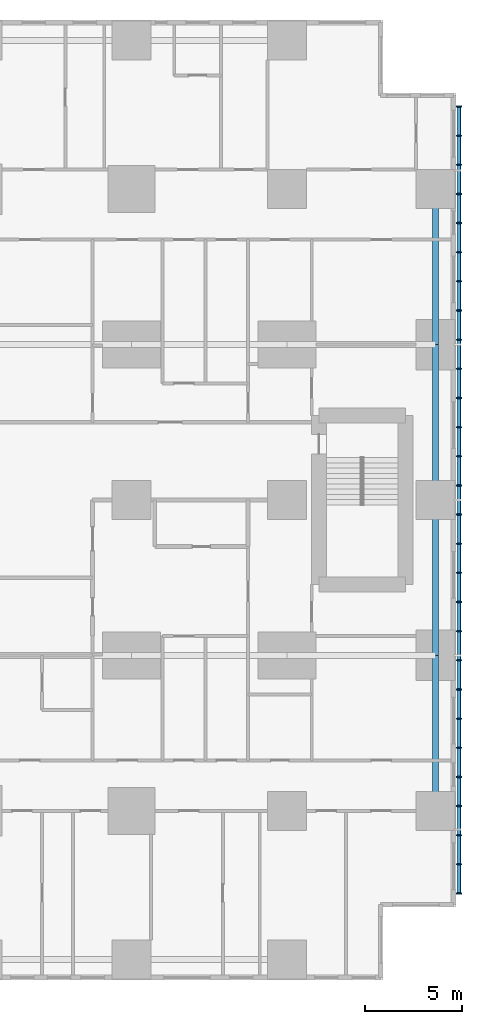
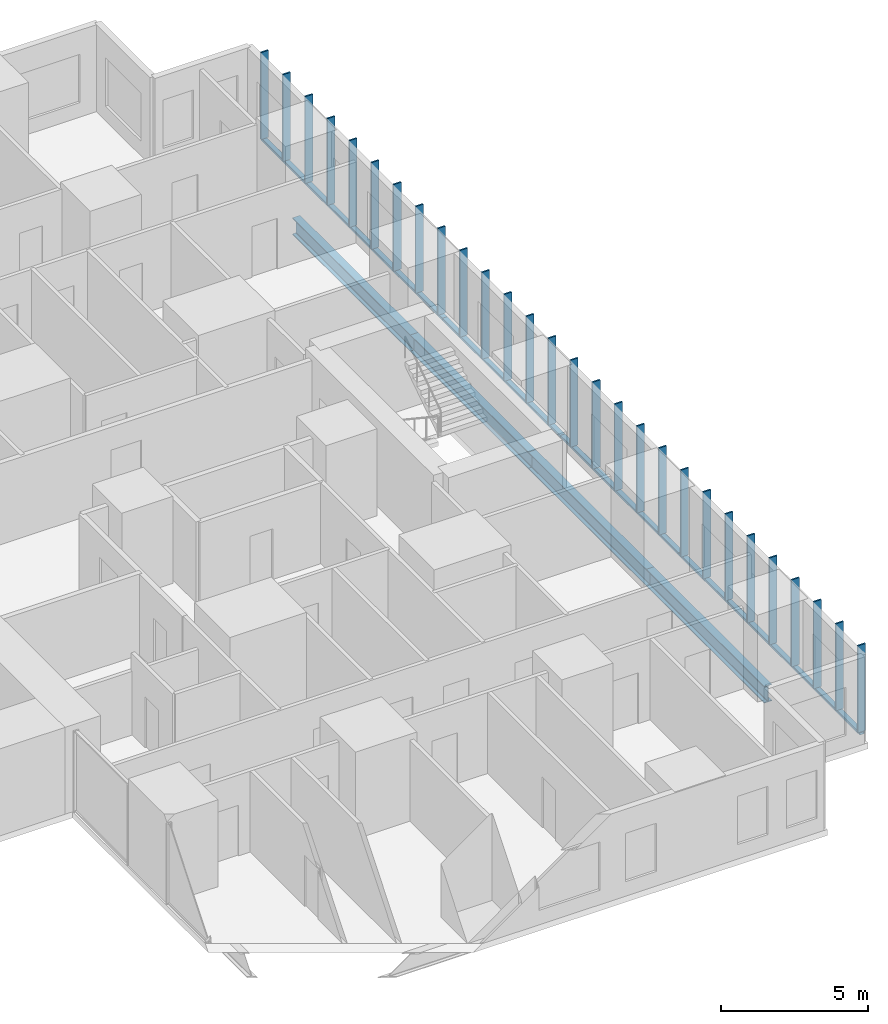
# One storey, part 6 of 20: 32 members, 4 beams.
"""IFC4 building model written with IfcOpenShell, lengths in metres."""

import ifcopenshell
import ifcopenshell.guid

model = None  # the IFC model being written
_history = None  # IfcOwnerHistory: only IFC2X3 demands one
_inside = {}  # id of a spatial element -> (the spatial element, [elements in it])
_under = {}  # id of a project, library or spatial element -> (it, [spatial elements below it])
_declared = {}  # id of a project -> (the project, [libraries it declares])
_typed = {}  # id of a type object -> (the type object, [elements of that type])
_made_of = {}  # id of a material, layer set ... -> (it, [elements and type objects made of it])


def new_model(schema):
    """Start an empty IFC model of exactly this schema.

    Asked for "IFC4X3", IfcOpenShell would pick the latest addendum, in which some entities
    have other attributes; the version numbers below select the first issue.
    IFC2X3 requires an IfcOwnerHistory on every rooted entity: one is made here for all.
    """
    global model, _history
    if schema == "IFC4X3":
        model = ifcopenshell.file(schema_version=(4, 3, 0, 0))
    else:
        model = ifcopenshell.file(schema=schema)
    _inside.clear()
    _under.clear()
    _declared.clear()
    _typed.clear()
    _made_of.clear()
    _history = None
    if model.schema == "IFC2X3":
        org = make("IfcOrganization", Name="unknown")
        user = make(
            "IfcPersonAndOrganization",
            ThePerson=make("IfcPerson", FamilyName="unknown"),
            TheOrganization=org,
        )
        app = make(
            "IfcApplication",
            ApplicationDeveloper=org,
            Version="unknown",
            ApplicationFullName="unknown",
            ApplicationIdentifier="unknown",
        )
        _history = make(
            "IfcOwnerHistory",
            OwningUser=user,
            OwningApplication=app,
            ChangeAction="ADDED",
            CreationDate=0,
        )
    return model


def make(cls, **values):
    """One entity of the class cls with the attributes given. An attribute that is None is left unset."""
    return model.create_entity(
        cls, **{name: value for name, value in values.items() if value is not None}
    )


def rooted(cls, **values):
    """An entity with a GlobalId (a new one), such as an element, a storey or a relation."""
    return make(cls, GlobalId=ifcopenshell.guid.new(), OwnerHistory=_history, **values)


def si_unit(unit_type, name, prefix=None):
    """IfcSIUnit, for example si_unit("LENGTHUNIT", "METRE", prefix="MILLI")."""
    return make("IfcSIUnit", UnitType=unit_type, Prefix=prefix, Name=name)


def assignment(units):
    """IfcUnitAssignment: the units of a project."""
    return None if units is None else make("IfcUnitAssignment", Units=units)


def point(xyz):
    """IfcCartesianPoint."""
    return None if xyz is None else make("IfcCartesianPoint", Coordinates=xyz)


def direction(xyz):
    """IfcDirection."""
    return None if xyz is None else make("IfcDirection", DirectionRatios=xyz)


def frame(location, z_axis=None, x_axis=None):
    """IfcAxis2Placement3D, a coordinate frame: its origin and axes. An axis left out is left unset."""
    return make(
        "IfcAxis2Placement3D",
        Location=point(location),
        Axis=direction(z_axis),
        RefDirection=direction(x_axis),
    )


def frame_2d(location, x_axis=None):
    """IfcAxis2Placement2D, a coordinate frame in the plane: its origin and x axis."""
    return make(
        "IfcAxis2Placement2D", Location=point(location), RefDirection=direction(x_axis)
    )


def origin():
    """The frame at (0, 0, 0) with its axes left unset."""
    return frame((0.0, 0.0, 0.0))


def origin_2d():
    """The frame at (0, 0) in the plane with its x axis left unset."""
    return frame_2d((0.0, 0.0))


def place(relative_to, where):
    """IfcLocalPlacement: puts the frame where relative to a parent placement (None: the world)."""
    return make(
        "IfcLocalPlacement", PlacementRelTo=relative_to, RelativePlacement=where
    )


def context(
    kind, dimensions, precision=None, world=None, true_north=None, identifier=None
):
    """IfcGeometricRepresentationContext, for example the 3D "Model" context."""
    return make(
        "IfcGeometricRepresentationContext",
        ContextIdentifier=identifier,
        ContextType=kind,
        CoordinateSpaceDimension=dimensions,
        Precision=precision,
        WorldCoordinateSystem=world,
        TrueNorth=true_north,
    )


def subcontext(parent, identifier, kind, view, scale=None):
    """IfcGeometricRepresentationSubContext, for example "Body" below "Model"."""
    return make(
        "IfcGeometricRepresentationSubContext",
        ContextIdentifier=identifier,
        ContextType=kind,
        ParentContext=parent,
        TargetScale=scale,
        TargetView=view,
    )


def project(units=None, contexts=None):
    """IfcProject with its units and contexts."""
    return rooted(
        "IfcProject",
        Name="project",
        RepresentationContexts=contexts,
        UnitsInContext=assignment(units),
    )


def spatial(cls, under=None, at=None, **own):
    """A site, building, storey or space (cls), placed at a placement, below another one or the project."""
    s = rooted(cls, ObjectPlacement=at, **own)
    if under is not None:
        _under.setdefault(under.id(), (under, []))[1].append(s)
    return s


def profile(cls, at=None, kind="AREA", **sizes):
    """A parametric profile (cls). Its sizes go by their IFC names, for example OverallWidth=200.0."""
    return make(cls, ProfileType=kind, Position=at, **sizes)


def rectangle(**sizes):
    """IfcRectangleProfileDef."""
    return profile("IfcRectangleProfileDef", **sizes)


def hollow_rectangle(**sizes):
    """IfcRectangleHollowProfileDef."""
    return profile("IfcRectangleHollowProfileDef", **sizes)


def i_section(**sizes):
    """IfcIShapeProfileDef."""
    return profile("IfcIShapeProfileDef", **sizes)


def extrude(swept, where, along, depth):
    """IfcExtrudedAreaSolid: the profile swept, set in the frame where, extruded along a direction by depth."""
    return make(
        "IfcExtrudedAreaSolid",
        SweptArea=swept,
        Position=where,
        ExtrudedDirection=direction(along),
        Depth=depth,
    )


def shape(context_of_items, identifier, shape_type, items):
    """IfcShapeRepresentation: the items that make up one representation, for example the "Body"."""
    return make(
        "IfcShapeRepresentation",
        ContextOfItems=context_of_items,
        RepresentationIdentifier=identifier,
        RepresentationType=shape_type,
        Items=items,
    )


def material(Name=None, Category=None):
    """IfcMaterial."""
    return make("IfcMaterial", Name=Name, Category=Category)


def material_profile(
    of_material, cross_section, Name=None, Category=None, Priority=None
):
    """IfcMaterialProfile: a cross section and its material."""
    return make(
        "IfcMaterialProfile",
        Name=Name,
        Material=of_material,
        Profile=cross_section,
        Priority=Priority,
        Category=Category,
    )


def profile_set(profiles, Name=None, composite=None):
    """IfcMaterialProfileSet."""
    return make(
        "IfcMaterialProfileSet",
        Name=Name,
        MaterialProfiles=profiles,
        CompositeProfile=composite,
    )


def made_of(thing, what):
    """Note that an element or type object is made of a material, layer set ...; save() writes the relation."""
    if what is not None:
        _made_of.setdefault(what.id(), (what, []))[1].append(thing)
    return thing


def type_object(cls, material=None, **own):
    """A type object (cls), such as IfcWallType, which elements share."""
    return made_of(rooted(cls, **own), material)


def element(
    cls,
    number,
    at=None,
    inside=None,
    cuts=None,
    type_object=None,
    material=None,
    context=None,
    identifier="Body",
    shape_type=None,
    held_by="IfcProductDefinitionShape",
    body=None,
    shapes=None,
    **own,
):
    """One element of the class cls, such as IfcWall. Its Tag is "e" and its number.

    at: its placement. inside: the storey or other place that contains it. cuts: it is an
    opening in that element (IfcRelVoidsElement). A single representation is given by context,
    identifier, shape_type and body (its items); several are given by shapes. held_by: the class
    of the entity that holds the representations. save() writes the other relations.
    """
    e = rooted(cls, Tag="e%d" % number, ObjectPlacement=at, **own)
    if body is not None:
        shapes = [shape(context, identifier, shape_type, body)]
    if shapes is not None:
        e.Representation = make(held_by, Representations=shapes)
    if inside is not None:
        _inside.setdefault(inside.id(), (inside, []))[1].append(e)
    if cuts is not None:
        rooted(
            "IfcRelVoidsElement", RelatingBuildingElement=cuts, RelatedOpeningElement=e
        )
    if type_object is not None:
        _typed.setdefault(type_object.id(), (type_object, []))[1].append(e)
    return made_of(e, material)


def aggregate(whole, parts):
    """IfcRelAggregates: a whole, such as a stair, and the parts it consists of."""
    return rooted("IfcRelAggregates", RelatingObject=whole, RelatedObjects=parts)


def save(model, path):
    """Write the relations noted so far, then the file.

    IfcRelAggregates (storeys below a building ...), IfcRelContainedInSpatialStructure (elements
    in a storey), IfcRelDefinesByType, IfcRelAssociatesMaterial and IfcRelDeclares: one each for
    every whole, place, type object, material and project.
    """
    for whole, parts in _under.values():
        aggregate(whole, parts)
    for where, things in _inside.values():
        rooted(
            "IfcRelContainedInSpatialStructure",
            RelatedElements=things,
            RelatingStructure=where,
        )
    for kind, things in _typed.values():
        rooted("IfcRelDefinesByType", RelatedObjects=things, RelatingType=kind)
    for what, things in _made_of.values():
        rooted("IfcRelAssociatesMaterial", RelatedObjects=things, RelatingMaterial=what)
    for by, libraries in _declared.values():
        rooted("IfcRelDeclares", RelatingContext=by, RelatedDefinitions=libraries)
    model.write(path)


model = new_model("IFC4")

# Units and contexts
model_context = context("Model", 3, precision=1e-05, world=origin(), true_north=direction((0.0, 1.0)))
body_context = subcontext(model_context, "Body", "Model", "MODEL_VIEW")
ifc_project = project(units=[si_unit("LENGTHUNIT", "METRE"), si_unit("AREAUNIT", "SQUARE_METRE"), si_unit("VOLUMEUNIT", "CUBIC_METRE"), si_unit("PLANEANGLEUNIT", "RADIAN"), si_unit("MASSUNIT", "GRAM", prefix="KILO")], contexts=[model_context])

# Site, building, storey
site_placement = place(None, origin())
site = spatial("IfcSite", under=ifc_project, at=site_placement, CompositionType="ELEMENT")
building_placement = place(site_placement, origin())
building = spatial("IfcBuilding", under=site, at=building_placement, Name="Cleftline Residences", CompositionType="ELEMENT")
storey_placement = place(building_placement, frame((0.0, 0.0, 83.60009765625)))
storey = spatial("IfcBuildingStorey", under=building, at=storey_placement, Name="L21", CompositionType="ELEMENT", Elevation=83.60009765625)

# Members
ifc_material_1 = material(Name="Steel S355, hot-dip galvanised", Category="steel")
ifc_material_profile_1 = material_profile(ifc_material_1, hollow_rectangle(XDim=0.10009765625, YDim=0.199951171875, WallThickness=0.008056640625, InnerFilletRadius=0.008056640625, OuterFilletRadius=0.011962890625, at=origin_2d()))
ifc_profile_set_1 = profile_set([ifc_material_profile_1], Name="Steel S355, hot-dip galvanised")
member_type_1 = type_object("IfcMemberType", Name="BAGUETTE CARRIER RHS 200X100X8", PredefinedType="USERDEFINED", material=ifc_profile_set_1)
member_1_placement = place(storey_placement, frame((66.85009765625, 3.699951171875, -0.050048828125), z_axis=(0.0, 1.0, 0.0), x_axis=(0.0, 0.0, 1.0)))
element("IfcMember", 1, at=member_1_placement, inside=storey, type_object=member_type_1, Name="Baguette carrier", ObjectType="BAGUETTE CARRIER", PredefinedType="USERDEFINED", context=body_context, shape_type="SweptSolid", body=[
    extrude(hollow_rectangle(XDim=0.10009765625, YDim=0.199951171875, WallThickness=0.008056640625, InnerFilletRadius=0.008056640625, OuterFilletRadius=0.011962890625, at=origin_2d()), origin(), (0.0, 0.0, 1.0), 12.300048828125),
])
for number, where, z_axis, x_axis, name in (
    (2, (66.85009765625, 16.0, -0.050048828125), (0.0, 1.0, 0.0), (0.0, 0.0, 1.0), "Baguette carrier"),
    (3, (66.85009765625, 24.0, -0.050048828125), (0.0, 1.0, 0.0), (0.0, 0.0, 1.0), "Baguette carrier"),
):
    element("IfcMember", number, at=place(storey_placement, frame(where, z_axis=z_axis, x_axis=x_axis)), inside=storey, type_object=member_type_1, Name=name, ObjectType="BAGUETTE CARRIER", PredefinedType="USERDEFINED", context=body_context, shape_type="SweptSolid", body=[
        extrude(hollow_rectangle(XDim=0.10009765625, YDim=0.199951171875, WallThickness=0.008056640625, InnerFilletRadius=0.008056640625, OuterFilletRadius=0.011962890625, at=origin_2d()), origin(), (0.0, 0.0, 1.0), 8.0),
    ])
member_2_placement = place(storey_placement, frame((66.85009765625, 32.0, -0.050048828125), z_axis=(0.0, 1.0, 0.0), x_axis=(0.0, 0.0, 1.0)))
element("IfcMember", 4, at=member_2_placement, inside=storey, type_object=member_type_1, Name="Baguette carrier", ObjectType="BAGUETTE CARRIER", PredefinedType="USERDEFINED", context=body_context, shape_type="SweptSolid", body=[
    extrude(hollow_rectangle(XDim=0.10009765625, YDim=0.199951171875, WallThickness=0.008056640625, InnerFilletRadius=0.008056640625, OuterFilletRadius=0.011962890625, at=origin_2d()), origin(), (0.0, 0.0, 1.0), 12.300048828125),
])

# Beams
ifc_material_2 = material(Name="Steel S355", Category="steel")
ifc_material_profile_2 = material_profile(ifc_material_2, i_section(OverallWidth=0.300048828125, OverallDepth=0.699951171875, WebThickness=0.01708984375, FlangeThickness=0.031982421875, FilletRadius=0.027099609375, at=origin_2d()))
ifc_profile_set_2 = profile_set([ifc_material_profile_2], Name="Steel S355")
beam_type = type_object("IfcBeamType", Name="BEAM HEB 700", PredefinedType="BEAM", material=ifc_profile_set_2)
for number, where, z_axis, x_axis, name in (
    (5, (65.64990234375, 8.0, -0.60009765625), (0.0, 1.0, 0.0), (-1.0, 0.0, 0.0), "Edge beam"),
    (6, (65.64990234375, 16.0, -0.60009765625), (0.0, 1.0, 0.0), (-1.0, 0.0, 0.0), "Edge beam"),
    (7, (65.64990234375, 24.0, -0.60009765625), (0.0, 1.0, 0.0), (-1.0, 0.0, 0.0), "Edge beam"),
    (8, (65.64990234375, 32.0, -0.60009765625), (0.0, 1.0, 0.0), (-1.0, 0.0, 0.0), "Edge beam"),
):
    element("IfcBeam", number, at=place(storey_placement, frame(where, z_axis=z_axis, x_axis=x_axis)), inside=storey, type_object=beam_type, Name=name, PredefinedType="BEAM", context=body_context, shape_type="SweptSolid", body=[
        extrude(i_section(OverallWidth=0.300048828125, OverallDepth=0.699951171875, WebThickness=0.01708984375, FlangeThickness=0.031982421875, FilletRadius=0.027099609375, at=origin_2d()), origin(), (0.0, 0.0, 1.0), 8.0),
    ])

# Members
ifc_material_3 = material(Name="Extruded terracotta", Category="masonry")
ifc_material_profile_3 = material_profile(ifc_material_3, rectangle(XDim=0.06005859375, YDim=0.300048828125, at=origin_2d()))
ifc_profile_set_3 = profile_set([ifc_material_profile_3], Name="Extruded terracotta")
member_type_2 = type_object("IfcMemberType", Name="TERRACOTTA BAGUETTE 60X300", PredefinedType="USERDEFINED", material=ifc_profile_set_3)
for number, where, z_axis, x_axis, name in (
    (9, (66.85009765625, 3.75, 0.0), (0.0, 0.0, 1.0), (0.0, 1.0, 0.0), "Terracotta baguette"),
    (10, (66.85009765625, 5.25, 0.0), (0.0, 0.0, 1.0), (0.0, 1.0, 0.0), "Terracotta baguette"),
    (11, (66.85009765625, 6.75, 0.0), (0.0, 0.0, 1.0), (0.0, 1.0, 0.0), "Terracotta baguette"),
    (12, (66.85009765625, 8.25, 0.0), (0.0, 0.0, 1.0), (0.0, 1.0, 0.0), "Terracotta baguette"),
    (13, (66.85009765625, 9.75, 0.0), (0.0, 0.0, 1.0), (0.0, 1.0, 0.0), "Terracotta baguette"),
    (14, (66.85009765625, 11.25, 0.0), (0.0, 0.0, 1.0), (0.0, 1.0, 0.0), "Terracotta baguette"),
    (15, (66.85009765625, 12.75, 0.0), (0.0, 0.0, 1.0), (0.0, 1.0, 0.0), "Terracotta baguette"),
    (16, (66.85009765625, 14.25, 0.0), (0.0, 0.0, 1.0), (0.0, 1.0, 0.0), "Terracotta baguette"),
    (17, (66.85009765625, 15.75, 0.0), (0.0, 0.0, 1.0), (0.0, 1.0, 0.0), "Terracotta baguette"),
    (18, (66.85009765625, 17.25, 0.0), (0.0, 0.0, 1.0), (0.0, 1.0, 0.0), "Terracotta baguette"),
    (19, (66.85009765625, 18.75, 0.0), (0.0, 0.0, 1.0), (0.0, 1.0, 0.0), "Terracotta baguette"),
    (20, (66.85009765625, 20.25, 0.0), (0.0, 0.0, 1.0), (0.0, 1.0, 0.0), "Terracotta baguette"),
    (21, (66.85009765625, 21.75, 0.0), (0.0, 0.0, 1.0), (0.0, 1.0, 0.0), "Terracotta baguette"),
    (22, (66.85009765625, 23.25, 0.0), (0.0, 0.0, 1.0), (0.0, 1.0, 0.0), "Terracotta baguette"),
    (23, (66.85009765625, 24.75, 0.0), (0.0, 0.0, 1.0), (0.0, 1.0, 0.0), "Terracotta baguette"),
    (24, (66.85009765625, 26.25, 0.0), (0.0, 0.0, 1.0), (0.0, 1.0, 0.0), "Terracotta baguette"),
    (25, (66.85009765625, 27.75, 0.0), (0.0, 0.0, 1.0), (0.0, 1.0, 0.0), "Terracotta baguette"),
    (26, (66.85009765625, 29.25, 0.0), (0.0, 0.0, 1.0), (0.0, 1.0, 0.0), "Terracotta baguette"),
    (27, (66.85009765625, 30.75, 0.0), (0.0, 0.0, 1.0), (0.0, 1.0, 0.0), "Terracotta baguette"),
    (28, (66.85009765625, 32.25, 0.0), (0.0, 0.0, 1.0), (0.0, 1.0, 0.0), "Terracotta baguette"),
    (29, (66.85009765625, 33.75, 0.0), (0.0, 0.0, 1.0), (0.0, 1.0, 0.0), "Terracotta baguette"),
    (30, (66.85009765625, 35.25, 0.0), (0.0, 0.0, 1.0), (0.0, 1.0, 0.0), "Terracotta baguette"),
    (31, (66.85009765625, 36.75, 0.0), (0.0, 0.0, 1.0), (0.0, 1.0, 0.0), "Terracotta baguette"),
    (32, (66.85009765625, 38.25, 0.0), (0.0, 0.0, 1.0), (0.0, 1.0, 0.0), "Terracotta baguette"),
    (33, (66.85009765625, 39.75, 0.0), (0.0, 0.0, 1.0), (0.0, 1.0, 0.0), "Terracotta baguette"),
    (34, (66.85009765625, 41.25, 0.0), (0.0, 0.0, 1.0), (0.0, 1.0, 0.0), "Terracotta baguette"),
    (35, (66.85009765625, 42.75, 0.0), (0.0, 0.0, 1.0), (0.0, 1.0, 0.0), "Terracotta baguette"),
    (36, (66.85009765625, 44.25, 0.0), (0.0, 0.0, 1.0), (0.0, 1.0, 0.0), "Terracotta baguette"),
):
    element("IfcMember", number, at=place(storey_placement, frame(where, z_axis=z_axis, x_axis=x_axis)), inside=storey, type_object=member_type_2, Name=name, ObjectType="BAGUETTE", PredefinedType="USERDEFINED", context=body_context, shape_type="SweptSolid", body=[
        extrude(rectangle(XDim=0.06005859375, YDim=0.300048828125, at=origin_2d()), origin(), (0.0, 0.0, 1.0), 3.599853515625),
    ])

save(model, "model.ifc")
